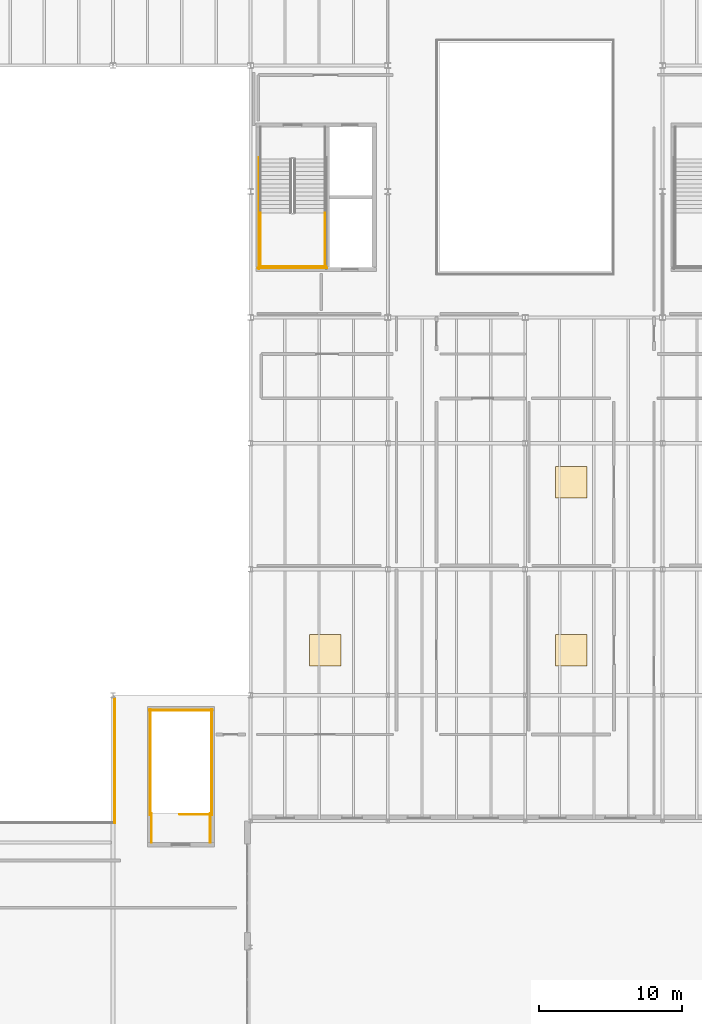
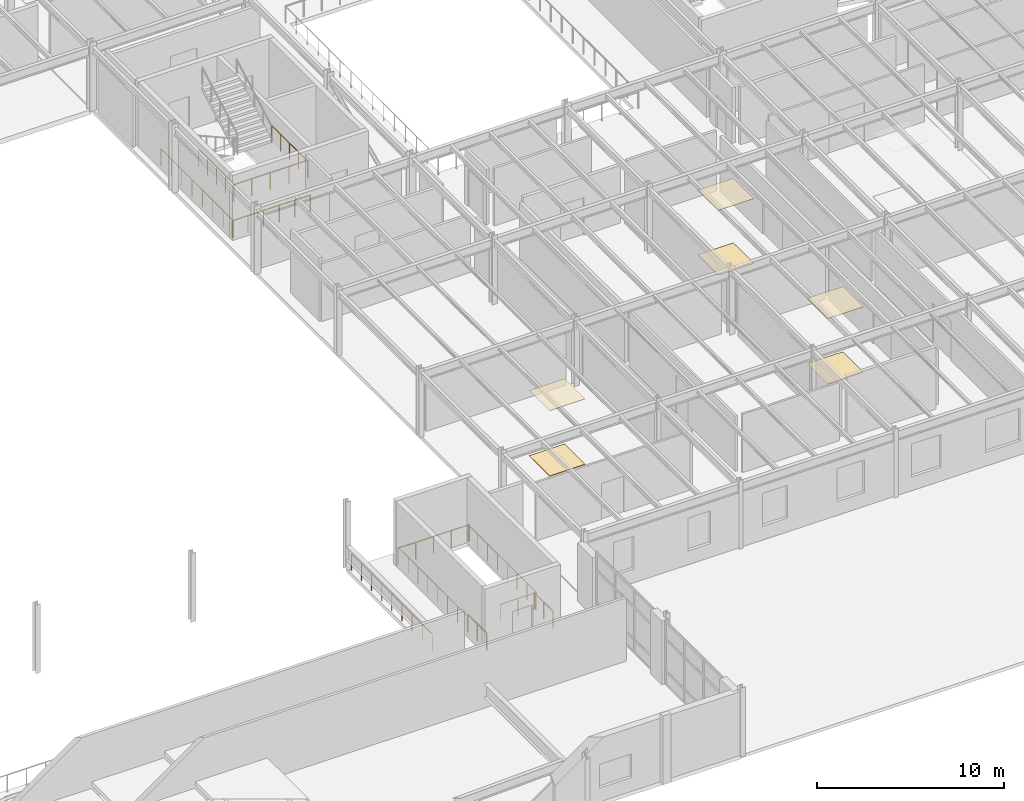
# One storey, part 67 of 77: 12 railings, 6 coverings.
"""IFC4 building model written with IfcOpenShell, lengths in metres."""

from ifc_helpers import new_model, si_unit, direction, frame, origin, origin_2d, place, context, subcontext, project, spatial, rectangle, circle, extrude, material, layer, layer_set, type_object, element, save


model = new_model("IFC4")

# Units and contexts
model_context = context("Model", 3, precision=1e-05, world=origin(), true_north=direction((0.0, 1.0)))
body_context = subcontext(model_context, "Body", "Model", "MODEL_VIEW")
ifc_project = project(units=[si_unit("LENGTHUNIT", "METRE"), si_unit("AREAUNIT", "SQUARE_METRE"), si_unit("VOLUMEUNIT", "CUBIC_METRE"), si_unit("PLANEANGLEUNIT", "RADIAN"), si_unit("MASSUNIT", "GRAM", prefix="KILO")], contexts=[model_context])

# Site, building, storey
site_placement = place(None, origin())
site = spatial("IfcSite", under=ifc_project, at=site_placement, CompositionType="ELEMENT")
building_placement = place(site_placement, origin())
building = spatial("IfcBuilding", under=site, at=building_placement, Name="Sarnbrook Museum", CompositionType="ELEMENT")
storey_placement = place(building_placement, frame((0.0, 0.0, 5.60009765625)))
storey = spatial("IfcBuildingStorey", under=building, at=storey_placement, Name="L01", CompositionType="ELEMENT", Elevation=5.60009765625)

# Coverings
ifc_material_1 = material(Name="Fire-Rated Acoustic Gypsum Plasterboard")
ifc_layer_1 = layer(ifc_material_1, 0.01806640625)
ifc_layer_set_1 = layer_set([ifc_layer_1], Name="Fire-Rated Acoustic Gypsum Plasterboard")
covering_type_1 = type_object("IfcCoveringType", Name="Ceil_Acoustic18", PredefinedType="CEILING", material=ifc_layer_set_1)
for number, where, z_axis, x_axis, name in (
    (1, (86.010009765625, 33.554931640625, 4.27197265625), (0.0, 0.0, 1.0), (1.0, 0.0, 0.0), "Acoustic Ceiling Baffle Panel L01-18"),
    (2, (103.2099609375, 33.554931640625, 4.27197265625), (0.0, 0.0, 1.0), (1.0, 0.0, 0.0), "Acoustic Ceiling Baffle Panel L01-20"),
):
    element("IfcCovering", number, at=place(storey_placement, frame(where, z_axis=z_axis, x_axis=x_axis)), inside=storey, type_object=covering_type_1, Name=name, PredefinedType="CEILING", context=body_context, shape_type="SweptSolid", body=[
        extrude(rectangle(XDim=2.199951171875, YDim=2.199951171875, at=origin_2d()), origin(), (0.0, 0.0, 1.0), 0.01806640625),
    ])
ifc_material_2 = material(Name="Tasmanian Oak Acoustic Timber", Category="wood")
ifc_layer_2 = layer(ifc_material_2, 0.02490234375)
ifc_layer_set_2 = layer_set([ifc_layer_2], Name="Tasmanian Oak Acoustic Timber")
covering_type_2 = type_object("IfcCoveringType", Name="Ceil_Timber25", PredefinedType="CEILING", material=ifc_layer_set_2)
covering_1_placement = place(storey_placement, frame((103.2099609375, 45.284912109375, 4.224853515625), z_axis=(0.0, 0.0, 1.0), x_axis=(1.0, 0.0, 0.0)))
element("IfcCovering", 3, at=covering_1_placement, inside=storey, type_object=covering_type_2, Name="Acoustic Ceiling Baffle Panel L01-21", PredefinedType="CEILING", context=body_context, shape_type="SweptSolid", body=[
    extrude(rectangle(XDim=2.199951171875, YDim=2.199951171875, at=origin_2d()), origin(), (0.0, 0.0, 1.0), 0.02490234375),
])
ifc_layer_3 = layer(ifc_material_2, 0.02197265625)
ifc_layer_set_3 = layer_set([ifc_layer_3], Name="Tasmanian Oak Acoustic Timber")
covering_type_3 = type_object("IfcCoveringType", Name="Floor_Oak22", PredefinedType="FLOORING", material=ifc_layer_set_3)
covering_2_placement = place(storey_placement, frame((103.2099609375, 45.284912109375, 0.0), z_axis=(0.0, 0.0, 1.0), x_axis=(1.0, 0.0, 0.0)))
element("IfcCovering", 4, at=covering_2_placement, inside=storey, type_object=covering_type_3, Name="Gallery Floor Finish Panel L01-21", PredefinedType="FLOORING", context=body_context, shape_type="SweptSolid", body=[
    extrude(rectangle(XDim=2.199951171875, YDim=2.199951171875, at=origin_2d()), origin(), (0.0, 0.0, 1.0), 0.02197265625),
])
ifc_material_3 = material(Name="Honed Bluestone and Marble Terrazzo Flooring", Category="masonry")
ifc_layer_4 = layer(ifc_material_3, 0.02001953125)
ifc_layer_set_4 = layer_set([ifc_layer_4], Name="Honed Bluestone and Marble Terrazzo Flooring")
covering_type_4 = type_object("IfcCoveringType", Name="Floor_Terrazzo20", PredefinedType="FLOORING", material=ifc_layer_set_4)
for number, where, z_axis, x_axis, name in (
    (5, (86.010009765625, 33.554931640625, 0.0), (0.0, 0.0, 1.0), (1.0, 0.0, 0.0), "Gallery Floor Finish Panel L01-18"),
    (6, (103.2099609375, 33.554931640625, 0.0), (0.0, 0.0, 1.0), (1.0, 0.0, 0.0), "Gallery Floor Finish Panel L01-20"),
):
    element("IfcCovering", number, at=place(storey_placement, frame(where, z_axis=z_axis, x_axis=x_axis)), inside=storey, type_object=covering_type_4, Name=name, PredefinedType="FLOORING", context=body_context, shape_type="SweptSolid", body=[
        extrude(rectangle(XDim=2.199951171875, YDim=2.199951171875, at=origin_2d()), origin(), (0.0, 0.0, 1.0), 0.02001953125),
    ])

# Railings
ifc_material_4 = material(Name="Brushed Stainless Steel Grade 316", Category="steel")
ifc_layer_5 = layer(ifc_material_4, 0.050048828125)
ifc_layer_set_5 = layer_set([ifc_layer_5], Name="Brushed Stainless Steel Grade 316")
railing_type = type_object("IfcRailingType", Name="Guard_Int1120", PredefinedType="BALUSTRADE", material=ifc_layer_set_5)
for number, where, name in (
    (7, (81.489990234375, 64.110107421875, 2.25), "L01 ST3 stair guard 3"),
    (8, (86.010009765625, 64.110107421875, 2.25), "L01 ST3 stair guard 4"),
):
    element("IfcRailing", number, at=place(storey_placement, frame(where)), inside=storey, type_object=railing_type, Name=name, PredefinedType="BALUSTRADE", context=body_context, shape_type="SweptSolid", body=[
        extrude(circle(Radius=0.02392578125, at=origin_2d()), frame((0.0, 0.0, 1.09619140625), z_axis=(0.0, -1.0, 0.0), x_axis=(1.0, 0.0, 0.0)), (0.0, 0.0, 1.0), 3.81005859375),
        extrude(circle(Radius=0.02099609375, at=origin_2d()), origin(), (0.0, 0.0, 1.0), 1.072021484375),
        extrude(circle(Radius=0.02099609375, at=origin_2d()), frame((0.0, -0.95263671875, 0.0)), (0.0, 0.0, 1.0), 1.072021484375),
        extrude(circle(Radius=0.02099609375, at=origin_2d()), frame((0.0, -1.905029296875, 0.0)), (0.0, 0.0, 1.0), 1.072021484375),
        extrude(circle(Radius=0.02099609375, at=origin_2d()), frame((0.0, -2.857421875, 0.0)), (0.0, 0.0, 1.0), 1.072021484375),
        extrude(circle(Radius=0.02099609375, at=origin_2d()), frame((0.0, -3.81005859375, 0.0)), (0.0, 0.0, 1.0), 1.072021484375),
    ])
railing_1_placement = place(storey_placement, frame((81.43994140625, 60.35009765625, 2.25)))
element("IfcRailing", 9, at=railing_1_placement, inside=storey, type_object=railing_type, Name="L01 ST3 stair guard 5", PredefinedType="BALUSTRADE", context=body_context, shape_type="SweptSolid", body=[
    extrude(circle(Radius=0.02392578125, at=origin_2d()), frame((0.0, 0.0, 1.09619140625), z_axis=(1.0, 0.0, 0.0), x_axis=(0.0, 1.0, 0.0)), (0.0, 0.0, 1.0), 4.6201171875),
    extrude(circle(Radius=0.02099609375, at=origin_2d()), origin(), (0.0, 0.0, 1.0), 1.072021484375),
    extrude(circle(Radius=0.02099609375, at=origin_2d()), frame((1.155029296875, 0.0, 0.0)), (0.0, 0.0, 1.0), 1.072021484375),
    extrude(circle(Radius=0.02099609375, at=origin_2d()), frame((2.31005859375, 0.0, 0.0)), (0.0, 0.0, 1.0), 1.072021484375),
    extrude(circle(Radius=0.02099609375, at=origin_2d()), frame((3.465087890625, 0.0, 0.0)), (0.0, 0.0, 1.0), 1.072021484375),
    extrude(circle(Radius=0.02099609375, at=origin_2d()), frame((4.6201171875, 0.0, 0.0)), (0.0, 0.0, 1.0), 1.072021484375),
])
railing_2_placement = place(storey_placement, frame((81.389892578125, 67.97998046875, 0.0)))
element("IfcRailing", 10, at=railing_2_placement, inside=storey, type_object=railing_type, Name="L01 ST3 stair guard 10", PredefinedType="BALUSTRADE", context=body_context, shape_type="SweptSolid", body=[
    extrude(circle(Radius=0.02392578125, at=origin_2d()), frame((0.0, 0.0, 1.09619140625), z_axis=(0.0, -1.0, 0.0), x_axis=(1.0, 0.0, 0.0)), (0.0, 0.0, 1.0), 7.780029296875),
    extrude(circle(Radius=0.02099609375, at=origin_2d()), origin(), (0.0, 0.0, 1.0), 1.072021484375),
    extrude(circle(Radius=0.02099609375, at=origin_2d()), frame((0.0, -1.111328125, 0.0)), (0.0, 0.0, 1.0), 1.072021484375),
    extrude(circle(Radius=0.02099609375, at=origin_2d()), frame((0.0, -2.222900390625, 0.0)), (0.0, 0.0, 1.0), 1.072021484375),
    extrude(circle(Radius=0.02099609375, at=origin_2d()), frame((0.0, -3.334228515625, 0.0)), (0.0, 0.0, 1.0), 1.072021484375),
    extrude(circle(Radius=0.02099609375, at=origin_2d()), frame((0.0, -4.44580078125, 0.0)), (0.0, 0.0, 1.0), 1.072021484375),
    extrude(circle(Radius=0.02099609375, at=origin_2d()), frame((0.0, -5.55712890625, 0.0)), (0.0, 0.0, 1.0), 1.072021484375),
    extrude(circle(Radius=0.02099609375, at=origin_2d()), frame((0.0, -6.668701171875, 0.0)), (0.0, 0.0, 1.0), 1.072021484375),
    extrude(circle(Radius=0.02099609375, at=origin_2d()), frame((0.0, -7.780029296875, 0.0)), (0.0, 0.0, 1.0), 1.072021484375),
])
railing_3_placement = place(storey_placement, frame((81.340087890625, 60.25, 0.0)))
element("IfcRailing", 11, at=railing_3_placement, inside=storey, type_object=railing_type, Name="L01 ST3 stair guard 12", PredefinedType="BALUSTRADE", context=body_context, shape_type="SweptSolid", body=[
    extrude(circle(Radius=0.02392578125, at=origin_2d()), frame((0.0, 0.0, 1.09619140625), z_axis=(1.0, 0.0, 0.0), x_axis=(0.0, 1.0, 0.0)), (0.0, 0.0, 1.0), 4.81982421875),
    extrude(circle(Radius=0.02099609375, at=origin_2d()), origin(), (0.0, 0.0, 1.0), 1.072021484375),
    extrude(circle(Radius=0.02099609375, at=origin_2d()), frame((0.9638671875, 0.0, 0.0)), (0.0, 0.0, 1.0), 1.072021484375),
    extrude(circle(Radius=0.02099609375, at=origin_2d()), frame((1.927978515625, 0.0, 0.0)), (0.0, 0.0, 1.0), 1.072021484375),
    extrude(circle(Radius=0.02099609375, at=origin_2d()), frame((2.891845703125, 0.0, 0.0)), (0.0, 0.0, 1.0), 1.072021484375),
    extrude(circle(Radius=0.02099609375, at=origin_2d()), frame((3.85595703125, 0.0, 0.0)), (0.0, 0.0, 1.0), 1.072021484375),
    extrude(circle(Radius=0.02099609375, at=origin_2d()), frame((4.81982421875, 0.0, 0.0)), (0.0, 0.0, 1.0), 1.072021484375),
])
railing_4_placement = place(storey_placement, frame((78.0400390625, 22.070068359375, 0.0)))
element("IfcRailing", 12, at=railing_4_placement, inside=storey, type_object=railing_type, Name="L01 ST8 top well guard 1", PredefinedType="BALUSTRADE", context=body_context, shape_type="SweptSolid", body=[
    extrude(circle(Radius=0.02392578125, at=origin_2d()), frame((0.0, 0.0, 1.09619140625), z_axis=(-1.0, 0.0, 0.0), x_axis=(0.0, -1.0, 0.0)), (0.0, 0.0, 1.0), 2.179931640625),
    extrude(circle(Radius=0.02099609375, at=origin_2d()), origin(), (0.0, 0.0, 1.0), 1.072021484375),
    extrude(circle(Radius=0.02099609375, at=origin_2d()), frame((-1.08984375, 0.0, 0.0)), (0.0, 0.0, 1.0), 1.072021484375),
    extrude(circle(Radius=0.02099609375, at=origin_2d()), frame((-2.179931640625, 0.0, 0.0)), (0.0, 0.0, 1.0), 1.072021484375),
])
for number, where, name in (
    (13, (78.090087890625, 22.02001953125, 0.0), "L01 ST8 top well guard 2"),
    (14, (73.7900390625, 22.02001953125, 0.0), "L01 ST8 top well guard 3"),
):
    element("IfcRailing", number, at=place(storey_placement, frame(where)), inside=storey, type_object=railing_type, Name=name, PredefinedType="BALUSTRADE", context=body_context, shape_type="SweptSolid", body=[
        extrude(circle(Radius=0.02392578125, at=origin_2d()), frame((0.0, 0.0, 1.09619140625), z_axis=(0.0, 1.0, 0.0), x_axis=(-1.0, 0.0, 0.0)), (0.0, 0.0, 1.0), 7.3798828125),
        extrude(circle(Radius=0.02099609375, at=origin_2d()), origin(), (0.0, 0.0, 1.0), 1.072021484375),
        extrude(circle(Radius=0.02099609375, at=origin_2d()), frame((0.0, 1.05419921875, 0.0)), (0.0, 0.0, 1.0), 1.072021484375),
        extrude(circle(Radius=0.02099609375, at=origin_2d()), frame((0.0, 2.108642578125, 0.0)), (0.0, 0.0, 1.0), 1.072021484375),
        extrude(circle(Radius=0.02099609375, at=origin_2d()), frame((0.0, 3.162841796875, 0.0)), (0.0, 0.0, 1.0), 1.072021484375),
        extrude(circle(Radius=0.02099609375, at=origin_2d()), frame((0.0, 4.217041015625, 0.0)), (0.0, 0.0, 1.0), 1.072021484375),
        extrude(circle(Radius=0.02099609375, at=origin_2d()), frame((0.0, 5.271240234375, 0.0)), (0.0, 0.0, 1.0), 1.072021484375),
        extrude(circle(Radius=0.02099609375, at=origin_2d()), frame((0.0, 6.32568359375, 0.0)), (0.0, 0.0, 1.0), 1.072021484375),
        extrude(circle(Radius=0.02099609375, at=origin_2d()), frame((0.0, 7.3798828125, 0.0)), (0.0, 0.0, 1.0), 1.072021484375),
    ])
railing_5_placement = place(storey_placement, frame((78.139892578125, 29.35009765625, 0.0)))
element("IfcRailing", 15, at=railing_5_placement, inside=storey, type_object=railing_type, Name="L01 ST8 top well guard 4", PredefinedType="BALUSTRADE", context=body_context, shape_type="SweptSolid", body=[
    extrude(circle(Radius=0.02392578125, at=origin_2d()), frame((0.0, 0.0, 1.09619140625), z_axis=(-1.0, 0.0, 0.0), x_axis=(0.0, -1.0, 0.0)), (0.0, 0.0, 1.0), 4.39990234375),
    extrude(circle(Radius=0.02099609375, at=origin_2d()), origin(), (0.0, 0.0, 1.0), 1.072021484375),
    extrude(circle(Radius=0.02099609375, at=origin_2d()), frame((-1.10009765625, 0.0, 0.0)), (0.0, 0.0, 1.0), 1.072021484375),
    extrude(circle(Radius=0.02099609375, at=origin_2d()), frame((-2.199951171875, 0.0, 0.0)), (0.0, 0.0, 1.0), 1.072021484375),
    extrude(circle(Radius=0.02099609375, at=origin_2d()), frame((-3.2998046875, 0.0, 0.0)), (0.0, 0.0, 1.0), 1.072021484375),
    extrude(circle(Radius=0.02099609375, at=origin_2d()), frame((-4.39990234375, 0.0, 0.0)), (0.0, 0.0, 1.0), 1.072021484375),
])
for number, where, name in (
    (16, (77.989990234375, 20.10009765625, 0.0), "L01 ST8 top well guard 5"),
    (17, (73.889892578125, 20.10009765625, 0.0), "L01 ST8 top well guard 6"),
):
    element("IfcRailing", number, at=place(storey_placement, frame(where)), inside=storey, type_object=railing_type, Name=name, PredefinedType="BALUSTRADE", context=body_context, shape_type="SweptSolid", body=[
        extrude(circle(Radius=0.02392578125, at=origin_2d()), frame((0.0, 0.0, 1.09619140625), z_axis=(0.0, 1.0, 0.0), x_axis=(-1.0, 0.0, 0.0)), (0.0, 0.0, 1.0), 2.02001953125),
        extrude(circle(Radius=0.02099609375, at=origin_2d()), origin(), (0.0, 0.0, 1.0), 1.072021484375),
        extrude(circle(Radius=0.02099609375, at=origin_2d()), frame((0.0, 1.010009765625, 0.0)), (0.0, 0.0, 1.0), 1.072021484375),
        extrude(circle(Radius=0.02099609375, at=origin_2d()), frame((0.0, 2.02001953125, 0.0)), (0.0, 0.0, 1.0), 1.072021484375),
    ])
railing_6_placement = place(storey_placement, frame((71.320068359375, 21.47998046875, 0.0)))
element("IfcRailing", 18, at=railing_6_placement, inside=storey, type_object=railing_type, Name="Auditorium Balcony Guardrail L01-2", PredefinedType="BALUSTRADE", context=body_context, shape_type="SweptSolid", body=[
    extrude(circle(Radius=0.02392578125, at=origin_2d()), frame((0.0, 0.0, 1.09619140625), z_axis=(0.0, 1.0, 0.0), x_axis=(-1.0, 0.0, 0.0)), (0.0, 0.0, 1.0), 8.669921875),
    extrude(circle(Radius=0.02099609375, at=origin_2d()), origin(), (0.0, 0.0, 1.0), 1.072021484375),
    extrude(circle(Radius=0.02099609375, at=origin_2d()), frame((0.0, 1.083740234375, 0.0)), (0.0, 0.0, 1.0), 1.072021484375),
    extrude(circle(Radius=0.02099609375, at=origin_2d()), frame((0.0, 2.16748046875, 0.0)), (0.0, 0.0, 1.0), 1.072021484375),
    extrude(circle(Radius=0.02099609375, at=origin_2d()), frame((0.0, 3.251220703125, 0.0)), (0.0, 0.0, 1.0), 1.072021484375),
    extrude(circle(Radius=0.02099609375, at=origin_2d()), frame((0.0, 4.3349609375, 0.0)), (0.0, 0.0, 1.0), 1.072021484375),
    extrude(circle(Radius=0.02099609375, at=origin_2d()), frame((0.0, 5.418701171875, 0.0)), (0.0, 0.0, 1.0), 1.072021484375),
    extrude(circle(Radius=0.02099609375, at=origin_2d()), frame((0.0, 6.50244140625, 0.0)), (0.0, 0.0, 1.0), 1.072021484375),
    extrude(circle(Radius=0.02099609375, at=origin_2d()), frame((0.0, 7.586181640625, 0.0)), (0.0, 0.0, 1.0), 1.072021484375),
    extrude(circle(Radius=0.02099609375, at=origin_2d()), frame((0.0, 8.669921875, 0.0)), (0.0, 0.0, 1.0), 1.072021484375),
])

save(model, "model.ifc")
